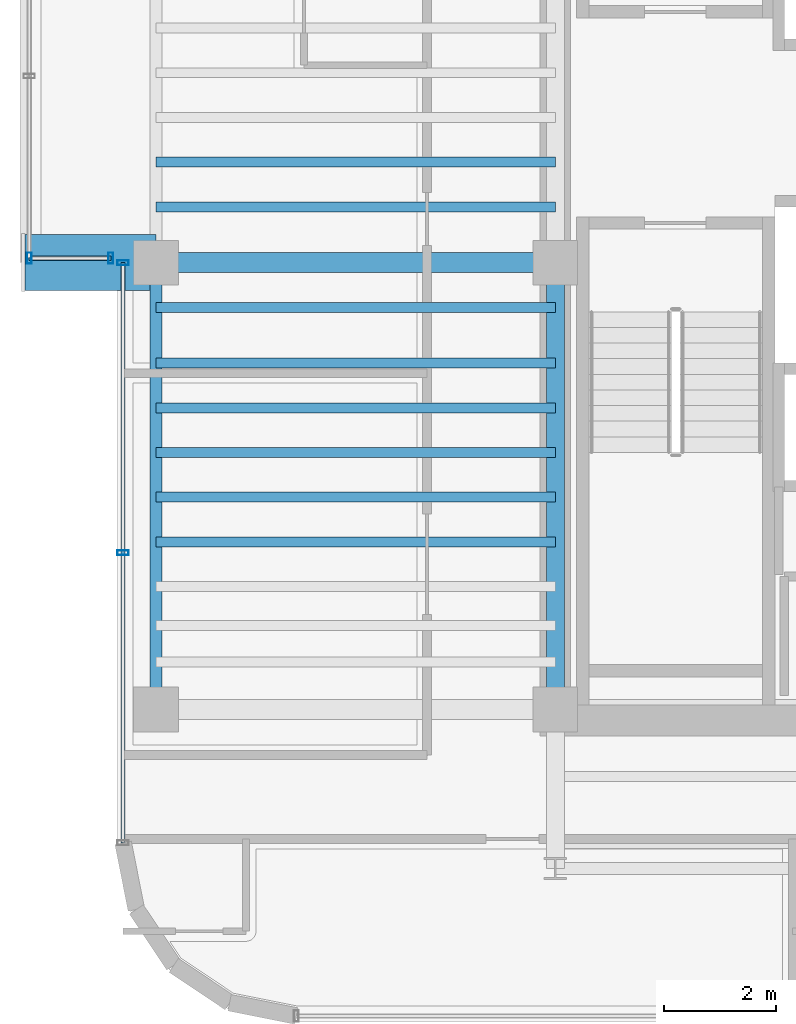
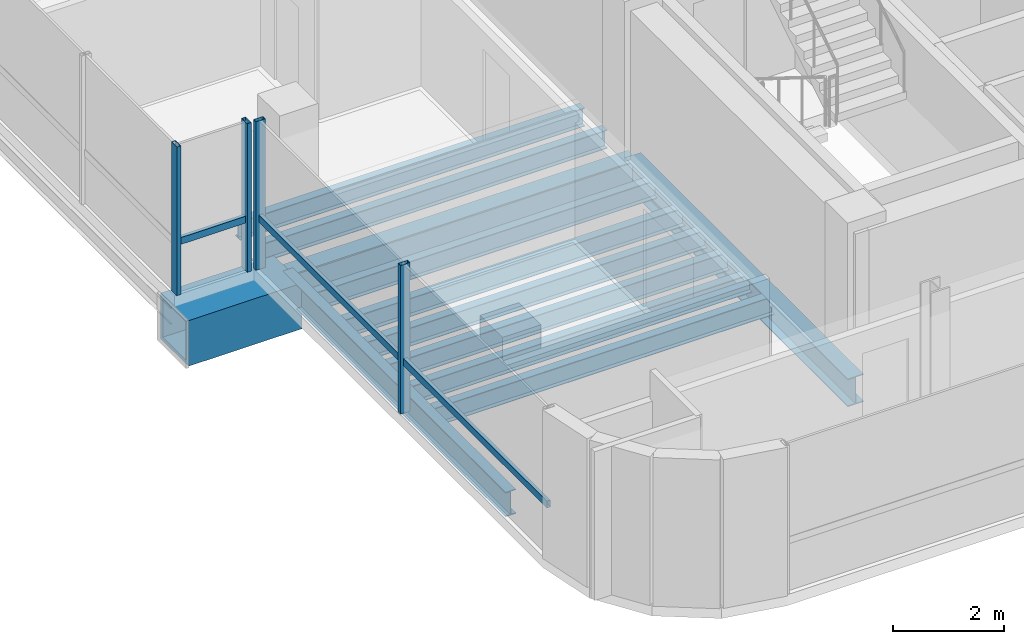
# One storey, part 4 of 20: 12 beams, 6 members, 2 elements without a shape of their own.
"""IFC4 building model written with IfcOpenShell, lengths in metres."""

from ifc_helpers import new_model, si_unit, direction, frame, origin, origin_2d, place, context, subcontext, project, spatial, hollow_rectangle, i_section, extrude, source, transform, mapped, material, material_profile, profile_set, type_object, element, aggregate, save


model = new_model("IFC4")

# Units and contexts
model_context = context("Model", 3, precision=1e-05, world=origin(), true_north=direction((0.0, 1.0)))
body_context = subcontext(model_context, "Body", "Model", "MODEL_VIEW")
ifc_project = project(units=[si_unit("LENGTHUNIT", "METRE"), si_unit("AREAUNIT", "SQUARE_METRE"), si_unit("VOLUMEUNIT", "CUBIC_METRE"), si_unit("PLANEANGLEUNIT", "RADIAN"), si_unit("MASSUNIT", "GRAM", prefix="KILO")], contexts=[model_context])

# Site, building, storey
site_placement = place(None, origin())
site = spatial("IfcSite", under=ifc_project, at=site_placement, CompositionType="ELEMENT")
building_placement = place(site_placement, origin())
building = spatial("IfcBuilding", under=site, at=building_placement, Name="Valdorenza Pilgrim Sanctuary Tower", CompositionType="ELEMENT")
storey_placement = place(building_placement, frame((0.0, 0.0, 240.5)))
storey = spatial("IfcBuildingStorey", under=building, at=storey_placement, Name="L62", CompositionType="ELEMENT", Elevation=240.5)

# Beams
ifc_material_1 = material(Name="Steel ASTM A992 Grade 50", Category="steel")
ifc_material_profile_1 = material_profile(ifc_material_1, i_section(OverallWidth=0.323974609375, OverallDepth=0.611083984375, WebThickness=0.0126953125, FlangeThickness=0.01904296875, at=origin_2d()), Name="W24X104")
ifc_profile_set_1 = profile_set([ifc_material_profile_1], Name="Steel ASTM A992 Grade 50")
beam_type_1 = type_object("IfcBeamType", Name="STR-BM-GRD-W24B", PredefinedType="BEAM", material=ifc_profile_set_1)
shared_shape_1 = source(origin(), body_context, "Body", "SweptSolid", [
    extrude(i_section(OverallWidth=0.323974609375, OverallDepth=0.611083984375, WebThickness=0.0126953125, FlangeThickness=0.01904296875, at=origin_2d()), origin(), (0.0, 0.0, 1.0), 8.0),
])
beam_1_placement = place(storey_placement, frame((-22.64990234375, -10.60009765625, -0.54541015625), z_axis=(0.0, 1.0, 0.0), x_axis=(-1.0, 0.0, 0.0)))
element("IfcBeam", 1, at=beam_1_placement, inside=storey, type_object=beam_type_1, Name="L62 Core Tie Girder CA-W-S1M0", PredefinedType="BEAM", context=body_context, shape_type="MappedRepresentation", body=[
    mapped(shared_shape_1, transform((0.0, 0.0, 0.0), x_axis=(1.0, 0.0, 0.0), y_axis=(0.0, 1.0, 0.0), z_axis=(0.0, 0.0, 1.0), scale=1.0)),
])
ifc_material_profile_2 = material_profile(ifc_material_1, i_section(OverallWidth=0.2109375, OverallDepth=0.5390625, WebThickness=0.01171875, FlangeThickness=0.018798828125, at=origin_2d()), Name="W21X73")
ifc_profile_set_2 = profile_set([ifc_material_profile_2], Name="Steel ASTM A992 Grade 50")
beam_type_2 = type_object("IfcBeamType", Name="STR-BM-SPN-W21B", PredefinedType="SPANDREL", material=ifc_profile_set_2)
shared_shape_2 = source(origin(), body_context, "Body", "SweptSolid", [
    extrude(i_section(OverallWidth=0.2109375, OverallDepth=0.5390625, WebThickness=0.01171875, FlangeThickness=0.018798828125, at=origin_2d()), origin(), (0.0, 0.0, 1.0), 8.0),
])
beam_2_placement = place(storey_placement, frame((-29.800048828125, -10.60009765625, -0.509521484375), z_axis=(0.0, 1.0, 0.0), x_axis=(-1.0, 0.0, 0.0)))
element("IfcBeam", 2, at=beam_2_placement, inside=storey, type_object=beam_type_2, Name="L62 Spandrel Beam WA-W-S1M0", PredefinedType="SPANDREL", context=body_context, shape_type="MappedRepresentation", body=[
    mapped(shared_shape_2, transform((0.0, 0.0, 0.0), x_axis=(1.0, 0.0, 0.0), y_axis=(0.0, 1.0, 0.0), z_axis=(0.0, 0.0, 1.0), scale=1.0)),
])
ifc_material_profile_3 = material_profile(ifc_material_1, i_section(OverallWidth=0.35595703125, OverallDepth=0.700927734375, WebThickness=0.016845703125, FlangeThickness=0.02734375, at=origin_2d()), Name="W27X161")
ifc_profile_set_3 = profile_set([ifc_material_profile_3], Name="Steel ASTM A992 Grade 50")
beam_type_3 = type_object("IfcBeamType", Name="STR-BM-GRD-W27", PredefinedType="BEAM", material=ifc_profile_set_3)
shared_shape_3 = source(origin(), body_context, "Body", "SweptSolid", [
    extrude(i_section(OverallWidth=0.35595703125, OverallDepth=0.700927734375, WebThickness=0.016845703125, FlangeThickness=0.02734375, at=origin_2d()), origin(), (0.0, 0.0, 1.0), 7.150146484375),
])
beam_3_placement = place(storey_placement, frame((-29.800048828125, -2.60009765625, -0.590576171875), z_axis=(1.0, 0.0, 0.0), x_axis=(0.0, 1.0, 0.0)))
element("IfcBeam", 3, at=beam_3_placement, inside=storey, type_object=beam_type_3, Name="L62 Floor Girder WA-XW-M0", PredefinedType="BEAM", context=body_context, shape_type="MappedRepresentation", body=[
    mapped(shared_shape_3, transform((0.0, 0.0, 0.0), x_axis=(1.0, 0.0, 0.0), y_axis=(0.0, 1.0, 0.0), z_axis=(0.0, 0.0, 1.0), scale=1.0)),
])
ifc_material_profile_4 = material_profile(ifc_material_1, i_section(OverallWidth=0.177978515625, OverallDepth=0.406005859375, WebThickness=0.0078125, FlangeThickness=0.0126953125, at=origin_2d()), Name="W16X40")
ifc_profile_set_4 = profile_set([ifc_material_profile_4], Name="Steel ASTM A992 Grade 50")
beam_type_4 = type_object("IfcBeamType", Name="STR-BM-JST-W16", PredefinedType="JOIST", material=ifc_profile_set_4)
shared_shape_4 = source(origin(), body_context, "Body", "SweptSolid", [
    extrude(i_section(OverallWidth=0.177978515625, OverallDepth=0.406005859375, WebThickness=0.0078125, FlangeThickness=0.0126953125, at=origin_2d()), origin(), (0.0, 0.0, 1.0), 7.150146484375),
])
for number, where, z_axis, x_axis, name in (
    (4, (-29.800048828125, -7.60009765625, -0.443115234375), (1.0, 0.0, 0.0), (0.0, 1.0, 0.0), "L62 Composite Floor Joist JST-WA-4"),
    (5, (-29.800048828125, -6.800048828125, -0.443115234375), (1.0, 0.0, 0.0), (0.0, 1.0, 0.0), "L62 Composite Floor Joist JST-WA-5"),
    (6, (-29.800048828125, -6.0, -0.443115234375), (1.0, 0.0, 0.0), (0.0, 1.0, 0.0), "L62 Composite Floor Joist JST-WA-6"),
    (7, (-29.800048828125, -5.199951171875, -0.443115234375), (1.0, 0.0, 0.0), (0.0, 1.0, 0.0), "L62 Composite Floor Joist JST-WA-7"),
    (8, (-29.800048828125, -4.39990234375, -0.443115234375), (1.0, 0.0, 0.0), (0.0, 1.0, 0.0), "L62 Composite Floor Joist JST-WA-8"),
    (9, (-29.800048828125, -3.39990234375, -0.443115234375), (1.0, 0.0, 0.0), (0.0, 1.0, 0.0), "L62 Composite Floor Joist JST-WA-9"),
    (10, (-29.800048828125, -1.60009765625, -0.443115234375), (1.0, 0.0, 0.0), (0.0, 1.0, 0.0), "L62 Composite Floor Joist JST-WA-10"),
    (11, (-29.800048828125, -0.800048828125, -0.443115234375), (1.0, 0.0, 0.0), (0.0, 1.0, 0.0), "L62 Composite Floor Joist JST-WA-11"),
):
    element("IfcBeam", number, at=place(storey_placement, frame(where, z_axis=z_axis, x_axis=x_axis)), inside=storey, type_object=beam_type_4, Name=name, PredefinedType="JOIST", context=body_context, shape_type="MappedRepresentation", body=[
        mapped(shared_shape_4, transform((0.0, 0.0, 0.0), x_axis=(1.0, 0.0, 0.0), y_axis=(0.0, 1.0, 0.0), z_axis=(0.0, 0.0, 1.0), scale=1.0)),
    ])
ifc_material_2 = material(Name="Steel ASTM A572 Grade 42", Category="steel")
ifc_material_profile_5 = material_profile(ifc_material_2, hollow_rectangle(XDim=1.0, YDim=1.0, WallThickness=0.080078125, at=origin_2d()), Name="BOX 1000x1000x80")
ifc_profile_set_5 = profile_set([ifc_material_profile_5], Name="Steel ASTM A572 Grade 42")
beam_type_5 = type_object("IfcBeamType", Name="STR-BM-PROW-CANT", PredefinedType="BEAM", material=ifc_profile_set_5)
shared_shape_5 = source(origin(), body_context, "Body", "SweptSolid", [
    extrude(hollow_rectangle(XDim=1.0, YDim=1.0, WallThickness=0.080078125, at=origin_2d()), origin(), (0.0, 0.0, 1.0), 2.349853515625),
])
beam_4_placement = place(storey_placement, frame((-29.800048828125, -2.60009765625, -0.739990234375), z_axis=(-1.0, 0.0, 0.0), x_axis=(0.0, -1.0, 0.0)))
element("IfcBeam", 12, at=beam_4_placement, inside=storey, type_object=beam_type_5, Name="L62 Glass Box Cantilever Beam BOX-WA-L62-CT-S", PredefinedType="BEAM", context=body_context, shape_type="MappedRepresentation", body=[
    mapped(shared_shape_5, transform((0.0, 0.0, 0.0), x_axis=(1.0, 0.0, 0.0), y_axis=(0.0, 1.0, 0.0), z_axis=(0.0, 0.0, 1.0), scale=1.0)),
])

# Curtain wall, member
ifc_material_3 = material(Name="Curtain-wall IGU glazing", Category="glass")
curtain_wall_type = type_object("IfcCurtainWallType", Name="CW-SYS-02", PredefinedType="NOTDEFINED", material=ifc_material_3)
curtain_wall_1_placement = place(storey_placement, origin())
curtain_wall_1 = element("IfcCurtainWall", 13, at=curtain_wall_1_placement, inside=storey, type_object=curtain_wall_type, Name="L62 Curtain Wall CW-L62-BOX-WA-L62-S", PredefinedType="NOTDEFINED")
ifc_material_4 = material(Name="Anodised aluminium AW-6060", Category="aluminium")
ifc_material_profile_6 = material_profile(ifc_material_4, hollow_rectangle(XDim=0.074951171875, YDim=0.14990234375, WallThickness=0.00390625, at=origin_2d()), Name="ALU-T 150x75x4")
ifc_profile_set_6 = profile_set([ifc_material_profile_6], Name="Anodised aluminium AW-6060")
member_type_1 = type_object("IfcMemberType", Name="CW-TRN-02", PredefinedType="USERDEFINED", material=ifc_profile_set_6)
shared_shape_6 = source(origin(), body_context, "Body", "SweptSolid", [
    extrude(hollow_rectangle(XDim=0.074951171875, YDim=0.14990234375, WallThickness=0.00390625, at=origin_2d()), origin(), (0.0, 0.0, 1.0), 1.4599609375),
])
member_1_placement = place(storey_placement, frame((-30.610107421875, -2.52001953125, 1.1201171875), z_axis=(-1.0, 0.0, 0.0), x_axis=(0.0, -1.0, 0.0)))
member_1 = element("IfcMember", 14, at=member_1_placement, type_object=member_type_1, Name="CW-L62-BOX-WA-L62-S Transom 1", ObjectType="TRANSOM", PredefinedType="USERDEFINED", context=body_context, shape_type="MappedRepresentation", body=[
    mapped(shared_shape_6, transform((0.0, 0.0, 0.0), x_axis=(1.0, 0.0, 0.0), y_axis=(0.0, 1.0, 0.0), z_axis=(0.0, 0.0, 1.0), scale=1.0)),
])

# Curtain wall, members
curtain_wall_2_placement = place(storey_placement, origin())
curtain_wall_2 = element("IfcCurtainWall", 15, at=curtain_wall_2_placement, inside=storey, type_object=curtain_wall_type, Name="L62 Curtain Wall CW-L62-1-1S1", PredefinedType="NOTDEFINED")
ifc_material_profile_7 = material_profile(ifc_material_4, hollow_rectangle(XDim=0.0849609375, YDim=0.199951171875, WallThickness=0.0048828125, at=origin_2d()), Name="ALU-M 200x85x5")
ifc_profile_set_7 = profile_set([ifc_material_profile_7], Name="Anodised aluminium AW-6060")
member_type_2 = type_object("IfcMemberType", Name="CW-MUL-02", PredefinedType="MULLION", material=ifc_profile_set_7)
shared_shape_7 = source(origin(), body_context, "Body", "SweptSolid", [
    extrude(hollow_rectangle(XDim=0.0849609375, YDim=0.199951171875, WallThickness=0.0048828125, at=origin_2d()), origin(), (0.0, 0.0, 1.0), 3.260009765625),
])
member_2_placement = place(storey_placement, frame((-30.389892578125, -7.794677734375, 0.0), z_axis=(0.0, 0.0, 1.0), x_axis=(0.0, 1.0, 0.0)))
member_2 = element("IfcMember", 16, at=member_2_placement, type_object=member_type_2, Name="CW-L62-1-1S1 Mullion 2", PredefinedType="MULLION", context=body_context, shape_type="MappedRepresentation", body=[
    mapped(shared_shape_7, transform((0.0, 0.0, 0.0), x_axis=(1.0, 0.0, 0.0), y_axis=(0.0, 1.0, 0.0), z_axis=(0.0, 0.0, 1.0), scale=1.0)),
])
member_3_placement = place(storey_placement, frame((-30.389892578125, -2.60009765625, 0.0), z_axis=(0.0, 0.0, 1.0), x_axis=(0.0, 1.0, 0.0)))
member_3 = element("IfcMember", 17, at=member_3_placement, type_object=member_type_2, Name="CW-L62-1-1S1 Mullion 3", PredefinedType="MULLION", context=body_context, shape_type="MappedRepresentation", body=[
    mapped(shared_shape_7, transform((0.0, 0.0, 0.0), x_axis=(1.0, 0.0, 0.0), y_axis=(0.0, 1.0, 0.0), z_axis=(0.0, 0.0, 1.0), scale=1.0)),
])

# Member
member_4_placement = place(storey_placement, frame((-30.610107421875, -2.52001953125, 0.0), z_axis=(0.0, 0.0, 1.0), x_axis=(-1.0, 0.0, 0.0)))
member_4 = element("IfcMember", 18, at=member_4_placement, type_object=member_type_2, Name="CW-L62-BOX-WA-L62-S Mullion 1", PredefinedType="MULLION", context=body_context, shape_type="MappedRepresentation", body=[
    mapped(shared_shape_7, transform((0.0, 0.0, 0.0), x_axis=(1.0, 0.0, 0.0), y_axis=(0.0, 1.0, 0.0), z_axis=(0.0, 0.0, 1.0), scale=1.0)),
])

member_5_placement = place(storey_placement, frame((-32.070068359375, -2.52001953125, 0.0), z_axis=(0.0, 0.0, 1.0), x_axis=(-1.0, 0.0, 0.0)))
member_5 = element("IfcMember", 19, at=member_5_placement, type_object=member_type_2, Name="CW-L62-BOX-WA-L62-S Mullion 2", PredefinedType="MULLION", context=body_context, shape_type="MappedRepresentation", body=[
    mapped(shared_shape_7, transform((0.0, 0.0, 0.0), x_axis=(1.0, 0.0, 0.0), y_axis=(0.0, 1.0, 0.0), z_axis=(0.0, 0.0, 1.0), scale=1.0)),
])

aggregate(curtain_wall_1, [member_4, member_5, member_1])

shared_shape_8 = source(origin(), body_context, "Body", "SweptSolid", [
    extrude(hollow_rectangle(XDim=0.074951171875, YDim=0.14990234375, WallThickness=0.00390625, at=origin_2d()), origin(), (0.0, 0.0, 1.0), 10.38916015625),
])
member_6_placement = place(storey_placement, frame((-30.389892578125, -12.9892578125, 1.1201171875), z_axis=(0.0, 1.0, 0.0), x_axis=(-1.0, 0.0, 0.0)))
member_6 = element("IfcMember", 20, at=member_6_placement, type_object=member_type_1, Name="CW-L62-1-1S1 Transom 1", ObjectType="TRANSOM", PredefinedType="USERDEFINED", context=body_context, shape_type="MappedRepresentation", body=[
    mapped(shared_shape_8, transform((0.0, 0.0, 0.0), x_axis=(1.0, 0.0, 0.0), y_axis=(0.0, 1.0, 0.0), z_axis=(0.0, 0.0, 1.0), scale=1.0)),
])

aggregate(curtain_wall_2, [member_2, member_3, member_6])

save(model, "model.ifc")
